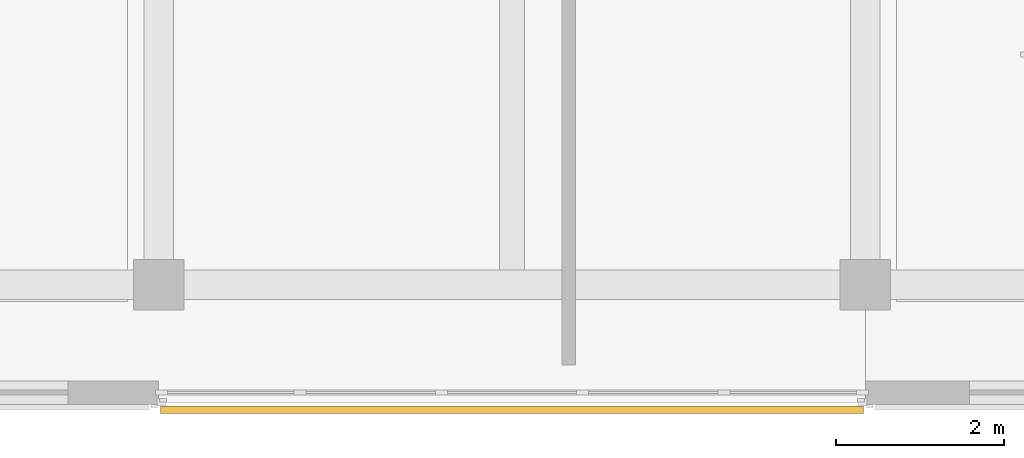
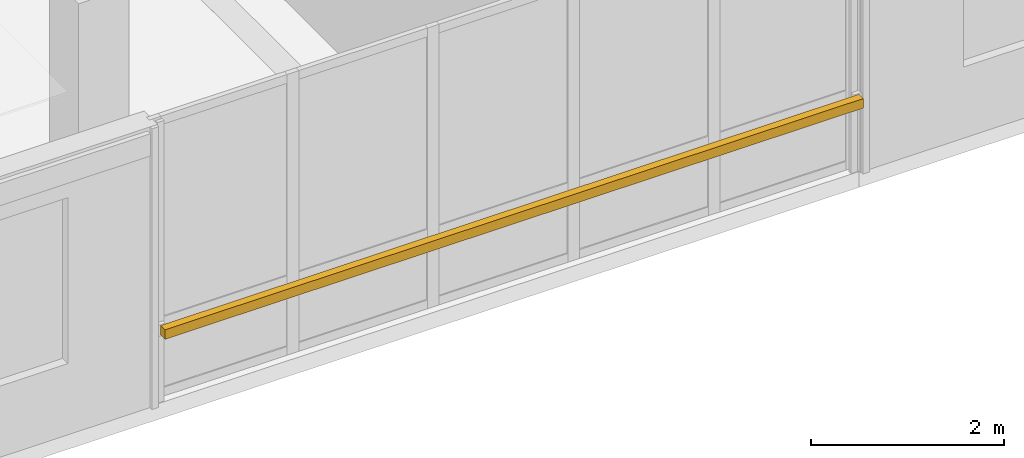
# One storey, part 24 of 30: 1 shading device.
"""IFC4 building model written with IfcOpenShell, lengths in metres."""

from ifc_helpers import new_model, si_unit, direction, frame, origin, origin_2d, place, context, subcontext, project, spatial, rectangle, extrude, material, layer, layer_set, type_object, element, save


model = new_model("IFC4")

# Units and contexts
model_context = context("Model", 3, precision=1e-05, world=origin(), true_north=direction((0.0, 1.0)))
body_context = subcontext(model_context, "Body", "Model", "MODEL_VIEW")
ifc_project = project(units=[si_unit("LENGTHUNIT", "METRE"), si_unit("AREAUNIT", "SQUARE_METRE"), si_unit("VOLUMEUNIT", "CUBIC_METRE"), si_unit("PLANEANGLEUNIT", "RADIAN"), si_unit("MASSUNIT", "GRAM", prefix="KILO")], contexts=[model_context])

# Site, building, storey
site_placement = place(None, origin())
site = spatial("IfcSite", under=ifc_project, at=site_placement, CompositionType="ELEMENT")
building_placement = place(site_placement, origin())
building = spatial("IfcBuilding", under=site, at=building_placement, Name="Telukmera Botanical Conservatory", CompositionType="ELEMENT")
storey_placement = place(building_placement, frame((0.0, 0.0, 60.0)))
storey = spatial("IfcBuildingStorey", under=building, at=storey_placement, Name="L13", CompositionType="ELEMENT", Elevation=60.0)

# Shading device
ifc_material = material(Name="Perforated terracotta-anodised aluminium 6063-T6", Category="masonry")
ifc_layer = layer(ifc_material, 0.044921875)
ifc_layer_set = layer_set([ifc_layer], Name="Perforated terracotta-anodised aluminium 6063-T6")
shading_device_type = type_object("IfcShadingDeviceType", Name="Perforated Terracotta Aluminium Monsoon Brise Soleil", PredefinedType="JALOUSIE", material=ifc_layer_set)
shading_device_placement = place(storey_placement, frame((88.199951171875, 9.114990234375, 0.889892578125), z_axis=(0.0, 0.0, 1.0), x_axis=(1.0, 0.0, 0.0)))
element("IfcShadingDevice", 1, at=shading_device_placement, inside=storey, type_object=shading_device_type, Name="Monsoon Shading BS01 V4:L13:S4", PredefinedType="JALOUSIE", context=body_context, shape_type="SweptSolid", body=[
    extrude(rectangle(XDim=8.35595703125, YDim=0.090087890625, at=origin_2d()), origin(), (0.0, 0.0, 1.0), 0.1201171875),
])

save(model, "model.ifc")
